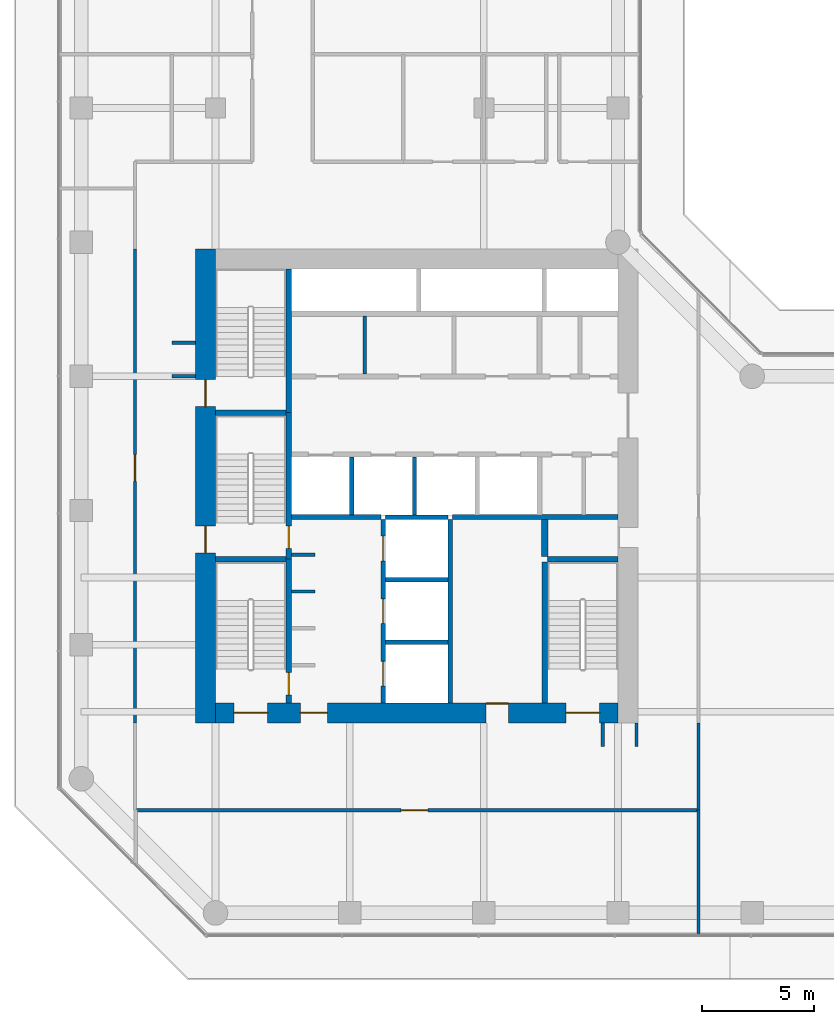
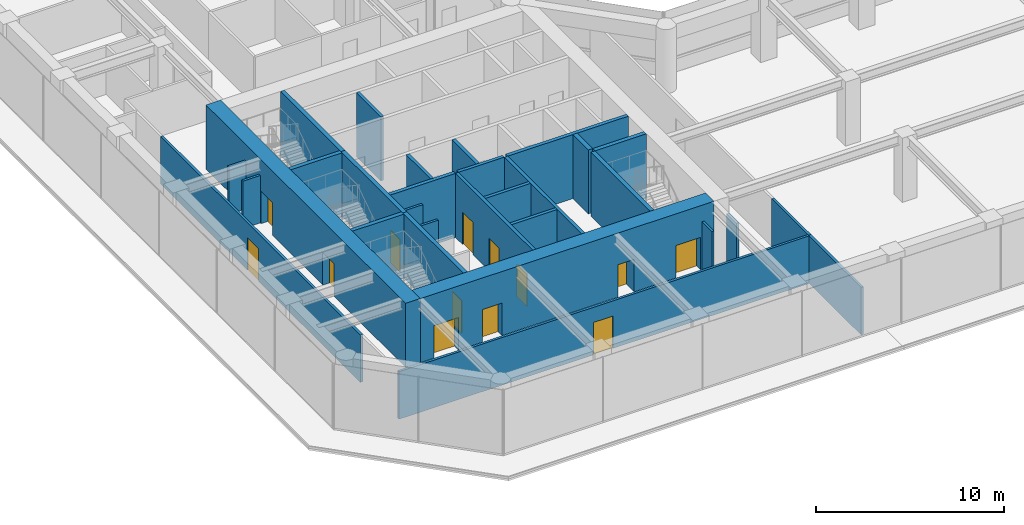
# One storey, part 21 of 24: 30 walls, 13 doors, 13 openings.
"""IFC4 building model written with IfcOpenShell, lengths in metres."""

import ifcopenshell
import ifcopenshell.guid

model = None  # the IFC model being written
_history = None  # IfcOwnerHistory: only IFC2X3 demands one
_inside = {}  # id of a spatial element -> (the spatial element, [elements in it])
_under = {}  # id of a project, library or spatial element -> (it, [spatial elements below it])
_declared = {}  # id of a project -> (the project, [libraries it declares])
_typed = {}  # id of a type object -> (the type object, [elements of that type])
_made_of = {}  # id of a material, layer set ... -> (it, [elements and type objects made of it])


def new_model(schema):
    """Start an empty IFC model of exactly this schema.

    Asked for "IFC4X3", IfcOpenShell would pick the latest addendum, in which some entities
    have other attributes; the version numbers below select the first issue.
    IFC2X3 requires an IfcOwnerHistory on every rooted entity: one is made here for all.
    """
    global model, _history
    if schema == "IFC4X3":
        model = ifcopenshell.file(schema_version=(4, 3, 0, 0))
    else:
        model = ifcopenshell.file(schema=schema)
    _inside.clear()
    _under.clear()
    _declared.clear()
    _typed.clear()
    _made_of.clear()
    _history = None
    if model.schema == "IFC2X3":
        org = make("IfcOrganization", Name="unknown")
        user = make(
            "IfcPersonAndOrganization",
            ThePerson=make("IfcPerson", FamilyName="unknown"),
            TheOrganization=org,
        )
        app = make(
            "IfcApplication",
            ApplicationDeveloper=org,
            Version="unknown",
            ApplicationFullName="unknown",
            ApplicationIdentifier="unknown",
        )
        _history = make(
            "IfcOwnerHistory",
            OwningUser=user,
            OwningApplication=app,
            ChangeAction="ADDED",
            CreationDate=0,
        )
    return model


def make(cls, **values):
    """One entity of the class cls with the attributes given. An attribute that is None is left unset."""
    return model.create_entity(
        cls, **{name: value for name, value in values.items() if value is not None}
    )


def rooted(cls, **values):
    """An entity with a GlobalId (a new one), such as an element, a storey or a relation."""
    return make(cls, GlobalId=ifcopenshell.guid.new(), OwnerHistory=_history, **values)


def si_unit(unit_type, name, prefix=None):
    """IfcSIUnit, for example si_unit("LENGTHUNIT", "METRE", prefix="MILLI")."""
    return make("IfcSIUnit", UnitType=unit_type, Prefix=prefix, Name=name)


def assignment(units):
    """IfcUnitAssignment: the units of a project."""
    return None if units is None else make("IfcUnitAssignment", Units=units)


def point(xyz):
    """IfcCartesianPoint."""
    return None if xyz is None else make("IfcCartesianPoint", Coordinates=xyz)


def direction(xyz):
    """IfcDirection."""
    return None if xyz is None else make("IfcDirection", DirectionRatios=xyz)


def frame(location, z_axis=None, x_axis=None):
    """IfcAxis2Placement3D, a coordinate frame: its origin and axes. An axis left out is left unset."""
    return make(
        "IfcAxis2Placement3D",
        Location=point(location),
        Axis=direction(z_axis),
        RefDirection=direction(x_axis),
    )


def frame_2d(location, x_axis=None):
    """IfcAxis2Placement2D, a coordinate frame in the plane: its origin and x axis."""
    return make(
        "IfcAxis2Placement2D", Location=point(location), RefDirection=direction(x_axis)
    )


def origin():
    """The frame at (0, 0, 0) with its axes left unset."""
    return frame((0.0, 0.0, 0.0))


def place(relative_to, where):
    """IfcLocalPlacement: puts the frame where relative to a parent placement (None: the world)."""
    return make(
        "IfcLocalPlacement", PlacementRelTo=relative_to, RelativePlacement=where
    )


def context(
    kind, dimensions, precision=None, world=None, true_north=None, identifier=None
):
    """IfcGeometricRepresentationContext, for example the 3D "Model" context."""
    return make(
        "IfcGeometricRepresentationContext",
        ContextIdentifier=identifier,
        ContextType=kind,
        CoordinateSpaceDimension=dimensions,
        Precision=precision,
        WorldCoordinateSystem=world,
        TrueNorth=true_north,
    )


def subcontext(parent, identifier, kind, view, scale=None):
    """IfcGeometricRepresentationSubContext, for example "Body" below "Model"."""
    return make(
        "IfcGeometricRepresentationSubContext",
        ContextIdentifier=identifier,
        ContextType=kind,
        ParentContext=parent,
        TargetScale=scale,
        TargetView=view,
    )


def project(units=None, contexts=None):
    """IfcProject with its units and contexts."""
    return rooted(
        "IfcProject",
        Name="project",
        RepresentationContexts=contexts,
        UnitsInContext=assignment(units),
    )


def spatial(cls, under=None, at=None, **own):
    """A site, building, storey or space (cls), placed at a placement, below another one or the project."""
    s = rooted(cls, ObjectPlacement=at, **own)
    if under is not None:
        _under.setdefault(under.id(), (under, []))[1].append(s)
    return s


def profile(cls, at=None, kind="AREA", **sizes):
    """A parametric profile (cls). Its sizes go by their IFC names, for example OverallWidth=200.0."""
    return make(cls, ProfileType=kind, Position=at, **sizes)


def rectangle(**sizes):
    """IfcRectangleProfileDef."""
    return profile("IfcRectangleProfileDef", **sizes)


def extrude(swept, where, along, depth):
    """IfcExtrudedAreaSolid: the profile swept, set in the frame where, extruded along a direction by depth."""
    return make(
        "IfcExtrudedAreaSolid",
        SweptArea=swept,
        Position=where,
        ExtrudedDirection=direction(along),
        Depth=depth,
    )


def shape(context_of_items, identifier, shape_type, items):
    """IfcShapeRepresentation: the items that make up one representation, for example the "Body"."""
    return make(
        "IfcShapeRepresentation",
        ContextOfItems=context_of_items,
        RepresentationIdentifier=identifier,
        RepresentationType=shape_type,
        Items=items,
    )


def material(Name=None, Category=None):
    """IfcMaterial."""
    return make("IfcMaterial", Name=Name, Category=Category)


def layer(
    of_material, thickness, ventilated=None, Name=None, Category=None, Priority=None
):
    """IfcMaterialLayer: one layer of a wall or slab, of a material (None: an air gap)."""
    return make(
        "IfcMaterialLayer",
        Material=of_material,
        LayerThickness=thickness,
        IsVentilated=ventilated,
        Name=Name,
        Category=Category,
        Priority=Priority,
    )


def layer_set(layers, Name=None):
    """IfcMaterialLayerSet."""
    return make("IfcMaterialLayerSet", MaterialLayers=layers, LayerSetName=Name)


def made_of(thing, what):
    """Note that an element or type object is made of a material, layer set ...; save() writes the relation."""
    if what is not None:
        _made_of.setdefault(what.id(), (what, []))[1].append(thing)
    return thing


def type_object(cls, material=None, **own):
    """A type object (cls), such as IfcWallType, which elements share."""
    return made_of(rooted(cls, **own), material)


def element(
    cls,
    number,
    at=None,
    inside=None,
    cuts=None,
    type_object=None,
    material=None,
    context=None,
    identifier="Body",
    shape_type=None,
    held_by="IfcProductDefinitionShape",
    body=None,
    shapes=None,
    **own,
):
    """One element of the class cls, such as IfcWall. Its Tag is "e" and its number.

    at: its placement. inside: the storey or other place that contains it. cuts: it is an
    opening in that element (IfcRelVoidsElement). A single representation is given by context,
    identifier, shape_type and body (its items); several are given by shapes. held_by: the class
    of the entity that holds the representations. save() writes the other relations.
    """
    e = rooted(cls, Tag="e%d" % number, ObjectPlacement=at, **own)
    if body is not None:
        shapes = [shape(context, identifier, shape_type, body)]
    if shapes is not None:
        e.Representation = make(held_by, Representations=shapes)
    if inside is not None:
        _inside.setdefault(inside.id(), (inside, []))[1].append(e)
    if cuts is not None:
        rooted(
            "IfcRelVoidsElement", RelatingBuildingElement=cuts, RelatedOpeningElement=e
        )
    if type_object is not None:
        _typed.setdefault(type_object.id(), (type_object, []))[1].append(e)
    return made_of(e, material)


def fill(opening, filler):
    """IfcRelFillsElement: the door or window that sits in an opening."""
    return rooted(
        "IfcRelFillsElement",
        RelatingOpeningElement=opening,
        RelatedBuildingElement=filler,
    )


def aggregate(whole, parts):
    """IfcRelAggregates: a whole, such as a stair, and the parts it consists of."""
    return rooted("IfcRelAggregates", RelatingObject=whole, RelatedObjects=parts)


def save(model, path):
    """Write the relations noted so far, then the file.

    IfcRelAggregates (storeys below a building ...), IfcRelContainedInSpatialStructure (elements
    in a storey), IfcRelDefinesByType, IfcRelAssociatesMaterial and IfcRelDeclares: one each for
    every whole, place, type object, material and project.
    """
    for whole, parts in _under.values():
        aggregate(whole, parts)
    for where, things in _inside.values():
        rooted(
            "IfcRelContainedInSpatialStructure",
            RelatedElements=things,
            RelatingStructure=where,
        )
    for kind, things in _typed.values():
        rooted("IfcRelDefinesByType", RelatedObjects=things, RelatingType=kind)
    for what, things in _made_of.values():
        rooted("IfcRelAssociatesMaterial", RelatedObjects=things, RelatingMaterial=what)
    for by, libraries in _declared.values():
        rooted("IfcRelDeclares", RelatingContext=by, RelatedDefinitions=libraries)
    model.write(path)


model = new_model("IFC4")

# Units and contexts
model_context = context("Model", 3, precision=1e-05, world=origin(), true_north=direction((0.0, 1.0)))
body_context = subcontext(model_context, "Body", "Model", "MODEL_VIEW")
ifc_project = project(units=[si_unit("LENGTHUNIT", "METRE"), si_unit("AREAUNIT", "SQUARE_METRE"), si_unit("VOLUMEUNIT", "CUBIC_METRE"), si_unit("PLANEANGLEUNIT", "RADIAN"), si_unit("MASSUNIT", "GRAM", prefix="KILO")], contexts=[model_context])

# Site, building, storey
site_placement = place(None, origin())
site = spatial("IfcSite", under=ifc_project, at=site_placement, CompositionType="ELEMENT")
building_placement = place(site_placement, origin())
building = spatial("IfcBuilding", under=site, at=building_placement, Name="Welwitschia Terrace Campus", CompositionType="ELEMENT")
storey_placement = place(building_placement, frame((0.0, 0.0, 24.5)))
storey = spatial("IfcBuildingStorey", under=building, at=storey_placement, Name="L05", CompositionType="ELEMENT", Elevation=24.5)

# Walls
ifc_material_1 = material(Name="Concrete C32/40", Category="concrete")
ifc_layer_1 = layer(ifc_material_1, 0.175048828125)
ifc_layer_set_1 = layer_set([ifc_layer_1], Name="Concrete C32/40")
wall_type_1 = type_object("IfcWallType", Name="Core partition 175 Concrete C32/40", PredefinedType="PARTITIONING", material=ifc_layer_set_1)
wall_1_placement = place(storey_placement, frame((12.675048828125, 20.10009765625, 0.0), z_axis=(0.0, 0.0, 1.0), x_axis=(0.0, 1.0, 0.0)))
element("IfcWall", 1, at=wall_1_placement, inside=storey, type_object=wall_type_1, Name="Core partition", PredefinedType="PARTITIONING", context=body_context, shape_type="SweptSolid", body=[
    extrude(rectangle(XDim=2.599853515625, YDim=0.175048828125, at=frame_2d((1.2998046875, 0.0))), origin(), (0.0, 0.0, 1.0), 4.14990234375),
])
ifc_material_2 = material(Name="Concrete C32/40", Category="concrete")
ifc_layer_2 = layer(ifc_material_2, 0.22509765625)
ifc_layer_set_2 = layer_set([ifc_layer_2], Name="Concrete C32/40")
wall_type_2 = type_object("IfcWallType", Name="Core partition 225 Concrete C32/40", PredefinedType="PARTITIONING", material=ifc_layer_set_2)
wall_2_placement = place(storey_placement, frame((9.39990234375, 13.699951171875, 0.0), z_axis=(0.0, 0.0, 1.0), x_axis=(1.0, 0.0, 0.0)))
element("IfcWall", 2, at=wall_2_placement, inside=storey, type_object=wall_type_2, Name="Shaft wall", PredefinedType="PARTITIONING", context=body_context, shape_type="SweptSolid", body=[
    extrude(rectangle(XDim=4.0, YDim=0.22509765625, at=frame_2d((2.0, 0.0))), origin(), (0.0, 0.0, 1.0), 4.14990234375),
])
wall_3_placement = place(storey_placement, frame((16.60009765625, 13.699951171875, 0.0), z_axis=(0.0, 0.0, 1.0), x_axis=(1.0, 0.0, 0.0)))
element("IfcWall", 3, at=wall_3_placement, inside=storey, type_object=wall_type_2, Name="Shaft wall", PredefinedType="PARTITIONING", context=body_context, shape_type="SweptSolid", body=[
    extrude(rectangle(XDim=7.39990234375, YDim=0.22509765625, at=frame_2d((3.699951171875, 0.0))), origin(), (0.0, 0.0, 1.0), 4.14990234375),
])
ifc_material_3 = material(Name="Concrete C32/40", Category="concrete")
ifc_layer_3 = layer(ifc_material_3, 0.27490234375)
ifc_layer_set_3 = layer_set([ifc_layer_3], Name="Concrete C32/40")
wall_type_3 = type_object("IfcWallType", Name="Core partition 275 Concrete C32/40", PredefinedType="PARTITIONING", material=ifc_layer_set_3)
wall_4_placement = place(storey_placement, frame((20.72509765625, 11.949951171875, 0.0), z_axis=(0.0, 0.0, 1.0), x_axis=(0.0, 1.0, 0.0)))
element("IfcWall", 4, at=wall_4_placement, inside=storey, type_object=wall_type_3, Name="Core partition", PredefinedType="PARTITIONING", context=body_context, shape_type="SweptSolid", body=[
    extrude(rectangle(XDim=1.650146484375, YDim=0.27490234375, at=frame_2d((0.8251953125, 0.0))), origin(), (0.0, 0.0, 1.0), 4.14990234375),
])
ifc_material_4 = material(Name="Concrete C50/60", Category="concrete")
ifc_layer_4 = layer(ifc_material_4, 0.14990234375)
ifc_layer_set_4 = layer_set([ifc_layer_4], Name="Concrete C50/60")
wall_type_4 = type_object("IfcWallType", Name="Core wall 150 Concrete C50/60", PredefinedType="SHEAR", material=ifc_layer_set_4)
for number, where, z_axis, x_axis, name in (
    (5, (9.39990234375, 10.375, 0.0), (0.0, 0.0, 1.0), (1.0, 0.0, 0.0), "Core wall"),
    (6, (9.39990234375, 12.02490234375, 0.0), (0.0, 0.0, 1.0), (1.0, 0.0, 0.0), "Core wall"),
):
    element("IfcWall", number, at=place(storey_placement, frame(where, z_axis=z_axis, x_axis=x_axis)), inside=storey, type_object=wall_type_4, Name=name, PredefinedType="SHEAR", context=body_context, shape_type="SweptSolid", body=[
        extrude(rectangle(XDim=1.050048828125, YDim=0.14990234375, at=frame_2d((0.52490234375, 0.0))), origin(), (0.0, 0.0, 1.0), 4.14990234375),
    ])
ifc_material_5 = material(Name="Concrete C50/60", Category="concrete")
ifc_layer_5 = layer(ifc_material_5, 0.199951171875)
ifc_layer_set_5 = layer_set([ifc_layer_5], Name="Concrete C50/60")
wall_type_5 = type_object("IfcWallType", Name="Core wall 200 Concrete C50/60", PredefinedType="SHEAR", material=ifc_layer_set_5)
for number, where, z_axis, x_axis, name in (
    (7, (13.60009765625, 8.10009765625, 0.0), (0.0, 0.0, 1.0), (1.0, 0.0, 0.0), "Core wall"),
    (8, (13.60009765625, 10.89990234375, 0.0), (0.0, 0.0, 1.0), (1.0, 0.0, 0.0), "Core wall"),
    (9, (13.60009765625, 13.699951171875, 0.0), (0.0, 0.0, 1.0), (1.0, 0.0, 0.0), "Core wall"),
):
    element("IfcWall", number, at=place(storey_placement, frame(where, z_axis=z_axis, x_axis=x_axis)), inside=storey, type_object=wall_type_5, Name=name, PredefinedType="SHEAR", context=body_context, shape_type="SweptSolid", body=[
        extrude(rectangle(XDim=2.7998046875, YDim=0.199951171875, at=frame_2d((1.39990234375, 0.0))), origin(), (0.0, 0.0, 1.0), 4.14990234375),
    ])

# Wall, openings, doors
wall_5_placement = place(storey_placement, frame((13.5, 5.39990234375, 0.0), z_axis=(0.0, 0.0, 1.0), x_axis=(0.0, 1.0, 0.0)))
wall_5 = element("IfcWall", 10, at=wall_5_placement, inside=storey, type_object=wall_type_5, Name="Core wall", PredefinedType="SHEAR", context=body_context, shape_type="SweptSolid", body=[
    extrude(rectangle(XDim=8.2001953125, YDim=0.199951171875, at=frame_2d((4.10009765625, 0.0))), origin(), (0.0, 0.0, 1.0), 4.14990234375),
])
opening_1_placement = place(wall_5_placement, frame((0.75, 0.0, 0.0)))
opening_1 = element("IfcOpeningElement", 11, at=opening_1_placement, cuts=wall_5, Name="Opening LD", PredefinedType="OPENING", context=body_context, shape_type="SweptSolid", body=[
    extrude(rectangle(XDim=1.10009765625, YDim=2.10009765625, at=frame_2d((0.550048828125, 1.050048828125))), frame((0.0, 0.10986328125, 0.0), z_axis=(0.0, -1.0, 0.0), x_axis=(1.0, 0.0, 0.0)), (0.0, 0.0, 1.0), 0.219970703125),
])
opening_2_placement = place(wall_5_placement, frame((3.550048828125, 0.0, 0.0)))
opening_2 = element("IfcOpeningElement", 12, at=opening_2_placement, cuts=wall_5, Name="Opening LD", PredefinedType="OPENING", context=body_context, shape_type="SweptSolid", body=[
    extrude(rectangle(XDim=1.10009765625, YDim=2.10009765625, at=frame_2d((0.550048828125, 1.050048828125))), frame((0.0, 0.10986328125, 0.0), z_axis=(0.0, -1.0, 0.0), x_axis=(1.0, 0.0, 0.0)), (0.0, 0.0, 1.0), 0.219970703125),
])
opening_3_placement = place(wall_5_placement, frame((6.35009765625, 0.0, 0.0)))
opening_3 = element("IfcOpeningElement", 13, at=opening_3_placement, cuts=wall_5, Name="Opening LD", PredefinedType="OPENING", context=body_context, shape_type="SweptSolid", body=[
    extrude(rectangle(XDim=1.10009765625, YDim=2.10009765625, at=frame_2d((0.550048828125, 1.050048828125))), frame((0.0, 0.10986328125, 0.0), z_axis=(0.0, -1.0, 0.0), x_axis=(1.0, 0.0, 0.0)), (0.0, 0.0, 1.0), 0.219970703125),
])
ifc_material_6 = material(Name="Stainless steel 304", Category="steel")
door_type_1 = type_object("IfcDoorType", Name="Lift landing door", OperationType="DOUBLE_DOOR_SLIDING", PredefinedType="DOOR", material=ifc_material_6)
door_1_placement = place(opening_1_placement, origin())
door_1 = element("IfcDoor", 14, at=door_1_placement, inside=storey, type_object=door_type_1, Name="Landing door FF1", OperationType="DOUBLE_DOOR_SLIDING", OverallHeight=2.10009765625, OverallWidth=1.10009765625, PredefinedType="DOOR", context=body_context, shape_type="SweptSolid", body=[
    extrude(rectangle(XDim=1.10009765625, YDim=2.10009765625, at=frame_2d((0.550048828125, 1.050048828125))), frame((0.0, 0.02490234375, 0.0), z_axis=(0.0, -1.0, 0.0), x_axis=(1.0, 0.0, 0.0)), (0.0, 0.0, 1.0), 0.050048828125),
])
fill(opening_1, door_1)
door_2_placement = place(opening_2_placement, origin())
door_2 = element("IfcDoor", 15, at=door_2_placement, inside=storey, type_object=door_type_1, Name="Landing door FF2", OperationType="DOUBLE_DOOR_SLIDING", OverallHeight=2.10009765625, OverallWidth=1.10009765625, PredefinedType="DOOR", context=body_context, shape_type="SweptSolid", body=[
    extrude(rectangle(XDim=1.10009765625, YDim=2.10009765625, at=frame_2d((0.550048828125, 1.050048828125))), frame((0.0, 0.02490234375, 0.0), z_axis=(0.0, -1.0, 0.0), x_axis=(1.0, 0.0, 0.0)), (0.0, 0.0, 1.0), 0.050048828125),
])
fill(opening_2, door_2)
door_3_placement = place(opening_3_placement, origin())
door_3 = element("IfcDoor", 16, at=door_3_placement, inside=storey, type_object=door_type_1, Name="Landing door SV1", OperationType="DOUBLE_DOOR_SLIDING", OverallHeight=2.10009765625, OverallWidth=1.10009765625, PredefinedType="DOOR", context=body_context, shape_type="SweptSolid", body=[
    extrude(rectangle(XDim=1.10009765625, YDim=2.10009765625, at=frame_2d((0.550048828125, 1.050048828125))), frame((0.0, 0.02490234375, 0.0), z_axis=(0.0, -1.0, 0.0), x_axis=(1.0, 0.0, 0.0)), (0.0, 0.0, 1.0), 0.050048828125),
])
fill(opening_3, door_3)

# Walls
wall_6_placement = place(storey_placement, frame((16.5, 5.39990234375, 0.0), z_axis=(0.0, 0.0, 1.0), x_axis=(0.0, 1.0, 0.0)))
element("IfcWall", 17, at=wall_6_placement, inside=storey, type_object=wall_type_5, Name="Core wall", PredefinedType="SHEAR", context=body_context, shape_type="SweptSolid", body=[
    extrude(rectangle(XDim=8.2001953125, YDim=0.199951171875, at=frame_2d((4.10009765625, 0.0))), origin(), (0.0, 0.0, 1.0), 4.14990234375),
])
ifc_material_7 = material(Name="Concrete C50/60", Category="concrete")
ifc_layer_6 = layer(ifc_material_7, 0.25)
ifc_layer_set_6 = layer_set([ifc_layer_6], Name="Concrete C50/60")
wall_type_6 = type_object("IfcWallType", Name="Core wall 250 Concrete C50/60", PredefinedType="SHEAR", material=ifc_layer_set_6)
for number, where, z_axis, x_axis, name in (
    (18, (6.0, 11.824951171875, 0.0), (0.0, 0.0, 1.0), (1.0, 0.0, 0.0), "Core wall"),
    (19, (20.85009765625, 11.824951171875, 0.0), (0.0, 0.0, 1.0), (1.0, 0.0, 0.0), "Core wall"),
    (20, (6.0, 18.375, 0.0), (0.0, 0.0, 1.0), (1.0, 0.0, 0.0), "Core wall"),
):
    element("IfcWall", number, at=place(storey_placement, frame(where, z_axis=z_axis, x_axis=x_axis)), inside=storey, type_object=wall_type_6, Name=name, PredefinedType="SHEAR", context=body_context, shape_type="SweptSolid", body=[
        extrude(rectangle(XDim=3.14990234375, YDim=0.25, at=frame_2d((1.574951171875, 0.0))), origin(), (0.0, 0.0, 1.0), 4.14990234375),
    ])

# Wall, opening, door
wall_7_placement = place(storey_placement, frame((9.27490234375, 11.824951171875, 0.0), z_axis=(0.0, 0.0, 1.0), x_axis=(0.0, -1.0, 0.0)))
wall_7 = element("IfcWall", 21, at=wall_7_placement, inside=storey, type_object=wall_type_6, Name="Core wall", PredefinedType="SHEAR", context=body_context, shape_type="SweptSolid", body=[
    extrude(rectangle(XDim=6.425048828125, YDim=0.25, at=frame_2d((3.21240234375, 0.0))), origin(), (0.0, 0.0, 1.0), 4.14990234375),
])
opening_4_placement = place(wall_7_placement, frame((5.074951171875, 0.0, 0.0)))
opening_4 = element("IfcOpeningElement", 22, at=opening_4_placement, cuts=wall_7, Name="Opening DS10", PredefinedType="OPENING", context=body_context, shape_type="SweptSolid", body=[
    extrude(rectangle(XDim=1.0, YDim=2.10009765625, at=frame_2d((0.5, 1.050048828125))), frame((0.0, 0.135009765625, 0.0), z_axis=(0.0, -1.0, 0.0), x_axis=(1.0, 0.0, 0.0)), (0.0, 0.0, 1.0), 0.27001953125),
])
ifc_material_8 = material(Name="Steel S275", Category="steel")
door_type_2 = type_object("IfcDoorType", Name="Core door DS10", OperationType="SINGLE_SWING_LEFT", PredefinedType="DOOR", material=ifc_material_8)
door_4_placement = place(opening_4_placement, origin())
door_4 = element("IfcDoor", 23, at=door_4_placement, inside=storey, type_object=door_type_2, Name="Door S1-FL", OperationType="SINGLE_SWING_RIGHT", OverallHeight=2.10009765625, OverallWidth=1.0, PredefinedType="DOOR", context=body_context, shape_type="SweptSolid", body=[
    extrude(rectangle(XDim=1.0, YDim=2.10009765625, at=frame_2d((0.5, 1.050048828125))), frame((0.0, 0.02490234375, 0.0), z_axis=(0.0, -1.0, 0.0), x_axis=(1.0, 0.0, 0.0)), (0.0, 0.0, 1.0), 0.050048828125),
])
fill(opening_4, door_4)

wall_8_placement = place(storey_placement, frame((9.27490234375, 18.375, 0.0), z_axis=(0.0, 0.0, 1.0), x_axis=(0.0, -1.0, 0.0)))
wall_8 = element("IfcWall", 24, at=wall_8_placement, inside=storey, type_object=wall_type_6, Name="Core wall", PredefinedType="SHEAR", context=body_context, shape_type="SweptSolid", body=[
    extrude(rectangle(XDim=6.550048828125, YDim=0.25, at=frame_2d((3.27490234375, 0.0))), origin(), (0.0, 0.0, 1.0), 4.14990234375),
])
opening_5_placement = place(wall_8_placement, frame((5.074951171875, 0.0, 0.0)))
opening_5 = element("IfcOpeningElement", 25, at=opening_5_placement, cuts=wall_8, Name="Opening DS10", PredefinedType="OPENING", context=body_context, shape_type="SweptSolid", body=[
    extrude(rectangle(XDim=1.0, YDim=2.10009765625, at=frame_2d((0.5, 1.050048828125))), frame((0.0, 0.135009765625, 0.0), z_axis=(0.0, -1.0, 0.0), x_axis=(1.0, 0.0, 0.0)), (0.0, 0.0, 1.0), 0.27001953125),
])
door_5_placement = place(opening_5_placement, origin())
door_5 = element("IfcDoor", 26, at=door_5_placement, inside=storey, type_object=door_type_2, Name="Door S3-FL", OperationType="SINGLE_SWING_RIGHT", OverallHeight=2.10009765625, OverallWidth=1.0, PredefinedType="DOOR", context=body_context, shape_type="SweptSolid", body=[
    extrude(rectangle(XDim=1.0, YDim=2.10009765625, at=frame_2d((0.5, 1.050048828125))), frame((0.0, 0.02490234375, 0.0), z_axis=(0.0, -1.0, 0.0), x_axis=(1.0, 0.0, 0.0)), (0.0, 0.0, 1.0), 0.050048828125),
])
fill(opening_5, door_5)

# Walls
wall_9_placement = place(storey_placement, frame((9.27490234375, 18.375, 0.0), z_axis=(0.0, 0.0, 1.0), x_axis=(0.0, 1.0, 0.0)))
element("IfcWall", 27, at=wall_9_placement, inside=storey, type_object=wall_type_6, Name="Core wall", PredefinedType="SHEAR", context=body_context, shape_type="SweptSolid", body=[
    extrude(rectangle(XDim=6.425048828125, YDim=0.25, at=frame_2d((3.21240234375, 0.0))), origin(), (0.0, 0.0, 1.0), 4.14990234375),
])
wall_10_placement = place(storey_placement, frame((20.72509765625, 5.39990234375, 0.0), z_axis=(0.0, 0.0, 1.0), x_axis=(0.0, 1.0, 0.0)))
element("IfcWall", 28, at=wall_10_placement, inside=storey, type_object=wall_type_6, Name="Core wall", PredefinedType="SHEAR", context=body_context, shape_type="SweptSolid", body=[
    extrude(rectangle(XDim=6.300048828125, YDim=0.25, at=frame_2d((3.14990234375, 0.0))), origin(), (0.0, 0.0, 1.0), 4.14990234375),
])

# Wall, openings, doors
ifc_material_9 = material(Name="Concrete C70/85", Category="concrete")
ifc_layer_7 = layer(ifc_material_9, 0.89990234375)
ifc_layer_set_7 = layer_set([ifc_layer_7], Name="Concrete C70/85")
wall_type_7 = type_object("IfcWallType", Name="Core wall 900 Concrete C70/85", PredefinedType="SHEAR", material=ifc_layer_set_7)
wall_11_placement = place(storey_placement, frame((5.550048828125, 4.5, 0.0), z_axis=(0.0, 0.0, 1.0), x_axis=(0.0, 1.0, 0.0)))
wall_11 = element("IfcWall", 29, at=wall_11_placement, inside=storey, type_object=wall_type_7, Name="Core outer wall", PredefinedType="SHEAR", context=body_context, shape_type="SweptSolid", body=[
    extrude(rectangle(XDim=21.199951171875, YDim=0.89990234375, at=frame_2d((10.60009765625, 0.0))), origin(), (0.0, 0.0, 1.0), 4.14990234375),
])
opening_6_placement = place(wall_11_placement, frame((7.60009765625, 0.0, 0.0)))
opening_6 = element("IfcOpeningElement", 30, at=opening_6_placement, cuts=wall_11, Name="Opening DS12", PredefinedType="OPENING", context=body_context, shape_type="SweptSolid", body=[
    extrude(rectangle(XDim=1.199951171875, YDim=2.10009765625, at=frame_2d((0.60009765625, 1.050048828125))), frame((0.0, 0.4599609375, 0.0), z_axis=(0.0, -1.0, 0.0), x_axis=(1.0, 0.0, 0.0)), (0.0, 0.0, 1.0), 0.919921875),
])
opening_7_placement = place(wall_11_placement, frame((14.14990234375, 0.0, 0.0)))
opening_7 = element("IfcOpeningElement", 31, at=opening_7_placement, cuts=wall_11, Name="Opening DS12", PredefinedType="OPENING", context=body_context, shape_type="SweptSolid", body=[
    extrude(rectangle(XDim=1.199951171875, YDim=2.10009765625, at=frame_2d((0.60009765625, 1.050048828125))), frame((0.0, 0.4599609375, 0.0), z_axis=(0.0, -1.0, 0.0), x_axis=(1.0, 0.0, 0.0)), (0.0, 0.0, 1.0), 0.919921875),
])
ifc_material_10 = material(Name="Steel S275", Category="steel")
door_type_3 = type_object("IfcDoorType", Name="Core door DS12", OperationType="SINGLE_SWING_LEFT", PredefinedType="DOOR", material=ifc_material_10)
door_6_placement = place(opening_6_placement, origin())
door_6 = element("IfcDoor", 32, at=door_6_placement, inside=storey, type_object=door_type_3, Name="Door S3-out", OperationType="SINGLE_SWING_LEFT", OverallHeight=2.10009765625, OverallWidth=1.199951171875, PredefinedType="DOOR", context=body_context, shape_type="SweptSolid", body=[
    extrude(rectangle(XDim=1.199951171875, YDim=2.10009765625, at=frame_2d((0.60009765625, 1.050048828125))), frame((0.0, 0.02490234375, 0.0), z_axis=(0.0, -1.0, 0.0), x_axis=(1.0, 0.0, 0.0)), (0.0, 0.0, 1.0), 0.050048828125),
])
fill(opening_6, door_6)
door_7_placement = place(opening_7_placement, origin())
door_7 = element("IfcDoor", 33, at=door_7_placement, inside=storey, type_object=door_type_3, Name="Door S4-out", OperationType="SINGLE_SWING_RIGHT", OverallHeight=2.10009765625, OverallWidth=1.199951171875, PredefinedType="DOOR", context=body_context, shape_type="SweptSolid", body=[
    extrude(rectangle(XDim=1.199951171875, YDim=2.10009765625, at=frame_2d((0.60009765625, 1.050048828125))), frame((0.0, 0.02490234375, 0.0), z_axis=(0.0, -1.0, 0.0), x_axis=(1.0, 0.0, 0.0)), (0.0, 0.0, 1.0), 0.050048828125),
])
fill(opening_7, door_7)

wall_12_placement = place(storey_placement, frame((24.0, 4.949951171875, 0.0), z_axis=(0.0, 0.0, 1.0), x_axis=(-1.0, 0.0, 0.0)))
wall_12 = element("IfcWall", 34, at=wall_12_placement, inside=storey, type_object=wall_type_7, Name="Core outer wall", PredefinedType="SHEAR", context=body_context, shape_type="SweptSolid", body=[
    extrude(rectangle(XDim=18.0, YDim=0.89990234375, at=frame_2d((9.0, 0.0))), origin(), (0.0, 0.0, 1.0), 4.14990234375),
])
opening_8_placement = place(wall_12_placement, frame((15.675048828125, 0.0, 0.0)))
opening_8 = element("IfcOpeningElement", 35, at=opening_8_placement, cuts=wall_12, Name="Opening DS15", PredefinedType="OPENING", context=body_context, shape_type="SweptSolid", body=[
    extrude(rectangle(XDim=1.5, YDim=2.10009765625, at=frame_2d((0.75, 1.050048828125))), frame((0.0, 0.4599609375, 0.0), z_axis=(0.0, -1.0, 0.0), x_axis=(1.0, 0.0, 0.0)), (0.0, 0.0, 1.0), 0.919921875),
])
opening_9_placement = place(wall_12_placement, frame((0.824951171875, 0.0, 0.0)))
opening_9 = element("IfcOpeningElement", 36, at=opening_9_placement, cuts=wall_12, Name="Opening DS15", PredefinedType="OPENING", context=body_context, shape_type="SweptSolid", body=[
    extrude(rectangle(XDim=1.5, YDim=2.10009765625, at=frame_2d((0.75, 1.050048828125))), frame((0.0, 0.4599609375, 0.0), z_axis=(0.0, -1.0, 0.0), x_axis=(1.0, 0.0, 0.0)), (0.0, 0.0, 1.0), 0.919921875),
])
opening_10_placement = place(wall_12_placement, frame((13.0, 0.0, 0.0)))
opening_10 = element("IfcOpeningElement", 37, at=opening_10_placement, cuts=wall_12, Name="Opening DF12", PredefinedType="OPENING", context=body_context, shape_type="SweptSolid", body=[
    extrude(rectangle(XDim=1.199951171875, YDim=2.10009765625, at=frame_2d((0.60009765625, 1.050048828125))), frame((0.0, 0.4599609375, 0.0), z_axis=(0.0, -1.0, 0.0), x_axis=(1.0, 0.0, 0.0)), (0.0, 0.0, 1.0), 0.919921875),
])
opening_11_placement = place(wall_12_placement, frame((4.89990234375, 0.0, 0.0)))
opening_11 = element("IfcOpeningElement", 38, at=opening_11_placement, cuts=wall_12, Name="Opening DR10", PredefinedType="OPENING", context=body_context, shape_type="SweptSolid", body=[
    extrude(rectangle(XDim=1.0, YDim=2.10009765625, at=frame_2d((0.5, 1.050048828125))), frame((0.0, 0.4599609375, 0.0), z_axis=(0.0, -1.0, 0.0), x_axis=(1.0, 0.0, 0.0)), (0.0, 0.0, 1.0), 0.919921875),
])
ifc_material_11 = material(Name="Steel S275", Category="steel")
door_type_4 = type_object("IfcDoorType", Name="Core door DF12", OperationType="SINGLE_SWING_LEFT", PredefinedType="DOOR", material=ifc_material_11)
door_8_placement = place(opening_10_placement, origin())
door_8 = element("IfcDoor", 39, at=door_8_placement, inside=storey, type_object=door_type_4, Name="Door FL-out", OperationType="SINGLE_SWING_RIGHT", OverallHeight=2.10009765625, OverallWidth=1.199951171875, PredefinedType="DOOR", context=body_context, shape_type="SweptSolid", body=[
    extrude(rectangle(XDim=1.199951171875, YDim=2.10009765625, at=frame_2d((0.60009765625, 1.050048828125))), frame((0.0, 0.02490234375, 0.0), z_axis=(0.0, -1.0, 0.0), x_axis=(1.0, 0.0, 0.0)), (0.0, 0.0, 1.0), 0.050048828125),
])
fill(opening_10, door_8)
ifc_material_12 = material(Name="Steel S275", Category="steel")
door_type_5 = type_object("IfcDoorType", Name="Core door DR10", OperationType="SINGLE_SWING_LEFT", PredefinedType="DOOR", material=ifc_material_12)
door_9_placement = place(opening_11_placement, origin())
door_9 = element("IfcDoor", 40, at=door_9_placement, inside=storey, type_object=door_type_5, Name="Door F1-out", OperationType="SINGLE_SWING_LEFT", OverallHeight=2.10009765625, OverallWidth=1.0, PredefinedType="DOOR", context=body_context, shape_type="SweptSolid", body=[
    extrude(rectangle(XDim=1.0, YDim=2.10009765625, at=frame_2d((0.5, 1.050048828125))), frame((0.0, -0.39013671875, 0.0), z_axis=(0.0, -1.0, 0.0), x_axis=(1.0, 0.0, 0.0)), (0.0, 0.0, 1.0), 0.050048828125),
])
fill(opening_11, door_9)
ifc_material_13 = material(Name="Steel S275", Category="steel")
door_type_6 = type_object("IfcDoorType", Name="Core door DS15", OperationType="DOUBLE_DOOR_SINGLE_SWING", PredefinedType="DOOR", material=ifc_material_13)
door_10_placement = place(opening_8_placement, origin())
door_10 = element("IfcDoor", 41, at=door_10_placement, inside=storey, type_object=door_type_6, Name="Door S1-out", OperationType="DOUBLE_DOOR_SINGLE_SWING", OverallHeight=2.10009765625, OverallWidth=1.5, PredefinedType="DOOR", context=body_context, shape_type="SweptSolid", body=[
    extrude(rectangle(XDim=1.5, YDim=2.10009765625, at=frame_2d((0.75, 1.050048828125))), frame((0.0, 0.02490234375, 0.0), z_axis=(0.0, -1.0, 0.0), x_axis=(1.0, 0.0, 0.0)), (0.0, 0.0, 1.0), 0.050048828125),
])
fill(opening_8, door_10)
door_11_placement = place(opening_9_placement, origin())
door_11 = element("IfcDoor", 42, at=door_11_placement, inside=storey, type_object=door_type_6, Name="Door S2-out", OperationType="DOUBLE_DOOR_SINGLE_SWING", OverallHeight=2.10009765625, OverallWidth=1.5, PredefinedType="DOOR", context=body_context, shape_type="SweptSolid", body=[
    extrude(rectangle(XDim=1.5, YDim=2.10009765625, at=frame_2d((0.75, 1.050048828125))), frame((0.0, 0.02490234375, 0.0), z_axis=(0.0, -1.0, 0.0), x_axis=(1.0, 0.0, 0.0)), (0.0, 0.0, 1.0), 0.050048828125),
])
fill(opening_9, door_11)

# Wall, opening, door
ifc_material_14 = material(Name="Gypsum board on steel studs", Category="steel")
ifc_layer_8 = layer(ifc_material_14, 0.14990234375)
ifc_layer_set_8 = layer_set([ifc_layer_8], Name="Gypsum board on steel studs")
wall_type_8 = type_object("IfcWallType", Name="Corridor partition 150 EI 30", PredefinedType="PARTITIONING", material=ifc_layer_set_8)
wall_13_placement = place(storey_placement, frame((2.39990234375, 4.5, 0.0), z_axis=(0.0, 0.0, 1.0), x_axis=(0.0, 1.0, 0.0)))
wall_13 = element("IfcWall", 43, at=wall_13_placement, inside=storey, type_object=wall_type_8, Name="Partition", PredefinedType="PARTITIONING", context=body_context, shape_type="SweptSolid", body=[
    extrude(rectangle(XDim=21.199951171875, YDim=0.14990234375, at=frame_2d((10.60009765625, 0.0))), origin(), (0.0, 0.0, 1.0), 3.080078125),
])
opening_12_placement = place(wall_13_placement, frame((10.800048828125, 0.0, 0.0)))
opening_12 = element("IfcOpeningElement", 44, at=opening_12_placement, cuts=wall_13, Name="Opening DI12", PredefinedType="OPENING", context=body_context, shape_type="SweptSolid", body=[
    extrude(rectangle(XDim=1.199951171875, YDim=2.10009765625, at=frame_2d((0.60009765625, 1.050048828125))), frame((0.0, 0.0849609375, 0.0), z_axis=(0.0, -1.0, 0.0), x_axis=(1.0, 0.0, 0.0)), (0.0, 0.0, 1.0), 0.169921875),
])
ifc_material_15 = material(Name="Timber veneered door", Category="wood")
door_type_7 = type_object("IfcDoorType", Name="Interior door DI12", OperationType="NOTDEFINED", PredefinedType="DOOR", material=ifc_material_15)
door_12_placement = place(opening_12_placement, origin())
door_12 = element("IfcDoor", 45, at=door_12_placement, inside=storey, type_object=door_type_7, Name="Door L05 135", OperationType="SINGLE_SWING_RIGHT", OverallHeight=2.10009765625, OverallWidth=1.199951171875, PredefinedType="DOOR", context=body_context, shape_type="SweptSolid", body=[
    extrude(rectangle(XDim=1.199951171875, YDim=2.10009765625, at=frame_2d((0.60009765625, 1.050048828125))), frame((0.0, 0.02490234375, 0.0), z_axis=(0.0, -1.0, 0.0), x_axis=(1.0, 0.0, 0.0)), (0.0, 0.0, 1.0), 0.050048828125),
])
fill(opening_12, door_12)

# Walls
for number, where, z_axis, x_axis, name in (
    (46, (4.050048828125, 20.0, 0.0), (0.0, 0.0, 1.0), (1.0, 0.0, 0.0), "Partition"),
    (47, (4.050048828125, 21.5, 0.0), (0.0, 0.0, 1.0), (1.0, 0.0, 0.0), "Partition"),
    (48, (23.320068359375, 3.449951171875, 0.0), (0.0, 0.0, 1.0), (0.0, 1.0, 0.0), "Partition"),
    (49, (24.830078125, 3.449951171875, 0.0), (0.0, 0.0, 1.0), (0.0, 1.0, 0.0), "Partition"),
):
    element("IfcWall", number, at=place(storey_placement, frame(where, z_axis=z_axis, x_axis=x_axis)), inside=storey, type_object=wall_type_8, Name=name, PredefinedType="PARTITIONING", context=body_context, shape_type="SweptSolid", body=[
        extrude(rectangle(XDim=1.050048828125, YDim=0.14990234375, at=frame_2d((0.52490234375, 0.0))), origin(), (0.0, 0.0, 1.0), 3.080078125),
    ])
wall_14_placement = place(storey_placement, frame((27.60009765625, -4.969970703125, 0.0), z_axis=(0.0, 0.0, 1.0), x_axis=(0.0, 1.0, 0.0)))
element("IfcWall", 50, at=wall_14_placement, inside=storey, type_object=wall_type_8, Name="Partition", PredefinedType="PARTITIONING", context=body_context, shape_type="SweptSolid", body=[
    extrude(rectangle(XDim=5.570068359375, YDim=0.14990234375, at=frame_2d((2.78515625, 0.0))), origin(), (0.0, 0.0, 1.0), 3.080078125),
])

# Wall, opening, door
wall_15_placement = place(storey_placement, frame((27.60009765625, 0.60009765625, 0.0), z_axis=(0.0, 0.0, 1.0), x_axis=(-1.0, 0.0, 0.0)))
wall_15 = element("IfcWall", 51, at=wall_15_placement, inside=storey, type_object=wall_type_8, Name="Partition", PredefinedType="PARTITIONING", context=body_context, shape_type="SweptSolid", body=[
    extrude(rectangle(XDim=25.2001953125, YDim=0.14990234375, at=frame_2d((12.60009765625, 0.0))), origin(), (0.0, 0.0, 1.0), 3.080078125),
])
opening_13_placement = place(wall_15_placement, frame((12.10009765625, 0.0, 0.0)))
opening_13 = element("IfcOpeningElement", 52, at=opening_13_placement, cuts=wall_15, Name="Opening DI12", PredefinedType="OPENING", context=body_context, shape_type="SweptSolid", body=[
    extrude(rectangle(XDim=1.199951171875, YDim=2.10009765625, at=frame_2d((0.60009765625, 1.050048828125))), frame((0.0, 0.0849609375, 0.0), z_axis=(0.0, -1.0, 0.0), x_axis=(1.0, 0.0, 0.0)), (0.0, 0.0, 1.0), 0.169921875),
])
door_13_placement = place(opening_13_placement, origin())
door_13 = element("IfcDoor", 53, at=door_13_placement, inside=storey, type_object=door_type_7, Name="Door L05 146", OperationType="SINGLE_SWING_LEFT", OverallHeight=2.10009765625, OverallWidth=1.199951171875, PredefinedType="DOOR", context=body_context, shape_type="SweptSolid", body=[
    extrude(rectangle(XDim=1.199951171875, YDim=2.10009765625, at=frame_2d((0.60009765625, 1.050048828125))), frame((0.0, 0.02490234375, 0.0), z_axis=(0.0, -1.0, 0.0), x_axis=(1.0, 0.0, 0.0)), (0.0, 0.0, 1.0), 0.050048828125),
])
fill(opening_13, door_13)

# Walls
wall_16_placement = place(storey_placement, frame((27.60009765625, 0.60009765625, 0.0), z_axis=(0.0, 0.0, 1.0), x_axis=(0.0, 1.0, 0.0)))
element("IfcWall", 54, at=wall_16_placement, inside=storey, type_object=wall_type_8, Name="Partition", PredefinedType="PARTITIONING", context=body_context, shape_type="SweptSolid", body=[
    extrude(rectangle(XDim=3.89990234375, YDim=0.14990234375, at=frame_2d((1.949951171875, 0.0))), origin(), (0.0, 0.0, 1.0), 3.080078125),
])
ifc_material_16 = material(Name="Concrete C32/40", Category="concrete")
ifc_layer_9 = layer(ifc_material_16, 0.199951171875)
ifc_layer_set_9 = layer_set([ifc_layer_9], Name="Concrete C32/40")
wall_type_9 = type_object("IfcWallType", Name="Shaft wall 200 Concrete C32/40", PredefinedType="SOLIDWALL", material=ifc_layer_set_9)
for number, where, z_axis, x_axis, name in (
    (55, (12.10009765625, 13.800048828125, 0.0), (0.0, 0.0, 1.0), (0.0, 1.0, 0.0), "Shaft wall"),
    (56, (14.89990234375, 13.800048828125, 0.0), (0.0, 0.0, 1.0), (0.0, 1.0, 0.0), "Shaft wall"),
):
    element("IfcWall", number, at=place(storey_placement, frame(where, z_axis=z_axis, x_axis=x_axis)), inside=storey, type_object=wall_type_9, Name=name, PredefinedType="SOLIDWALL", context=body_context, shape_type="SweptSolid", body=[
        extrude(rectangle(XDim=2.599853515625, YDim=0.199951171875, at=frame_2d((1.2998046875, 0.0))), origin(), (0.0, 0.0, 1.0), 4.14990234375),
    ])

save(model, "model.ifc")
